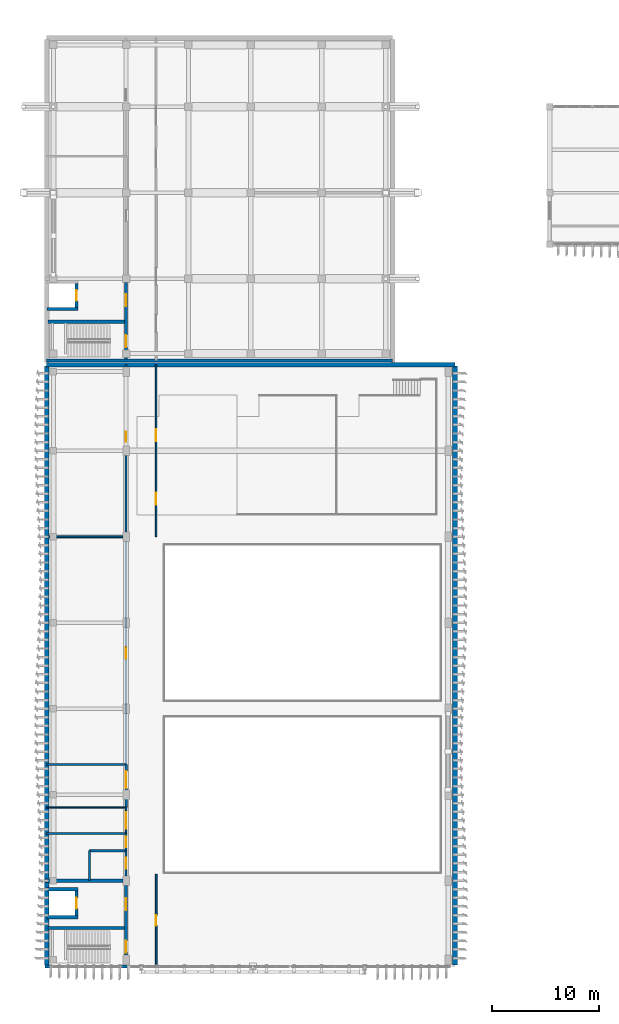
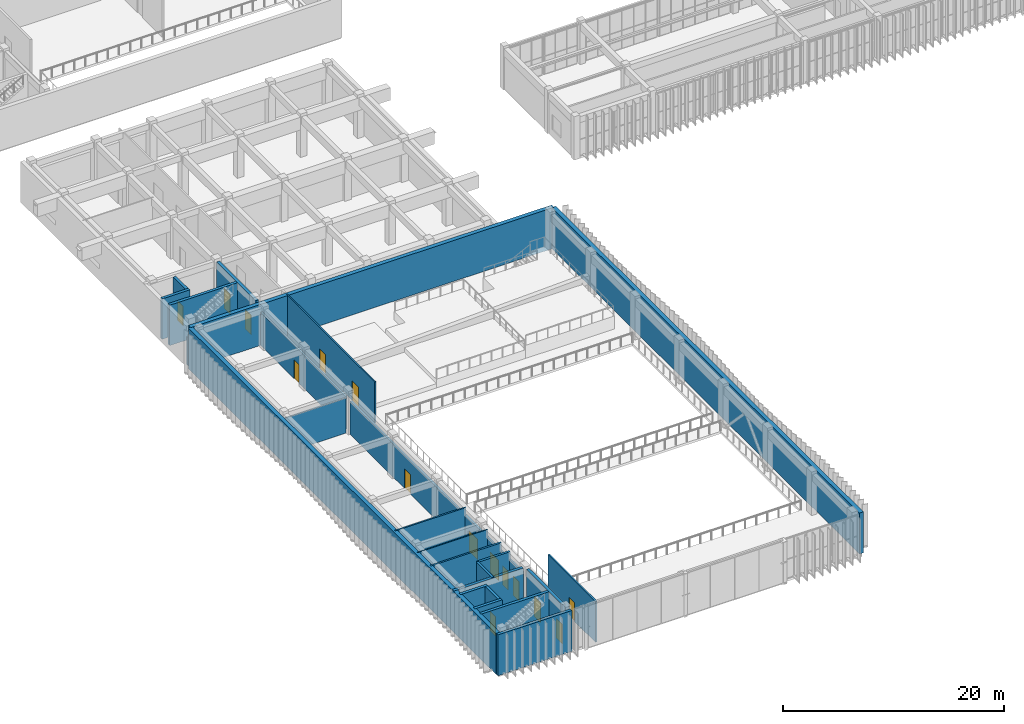
# One storey, part 39 of 64: 29 walls, 15 doors, 15 openings.
"""IFC4 building model written with IfcOpenShell, lengths in metres."""

from ifc_helpers import new_model, si_unit, direction, frame, frame_2d, origin, place, context, subcontext, project, spatial, rectangle, extrude, material, layer, layer_set, type_object, element, fill, save


model = new_model("IFC4")

# Units and contexts
model_context = context("Model", 3, precision=1e-05, world=origin(), true_north=direction((0.0, 1.0)))
body_context = subcontext(model_context, "Body", "Model", "MODEL_VIEW")
ifc_project = project(units=[si_unit("LENGTHUNIT", "METRE"), si_unit("AREAUNIT", "SQUARE_METRE"), si_unit("VOLUMEUNIT", "CUBIC_METRE"), si_unit("PLANEANGLEUNIT", "RADIAN"), si_unit("MASSUNIT", "GRAM", prefix="KILO")], contexts=[model_context])

# Site, building, storey
site_placement = place(None, origin())
site = spatial("IfcSite", under=ifc_project, at=site_placement, CompositionType="ELEMENT")
building_placement = place(site_placement, origin())
building = spatial("IfcBuilding", under=site, at=building_placement, Name="Cinchona Park Media Centre", CompositionType="ELEMENT")
storey_placement = place(building_placement, frame((0.0, 0.0, 5.39990234375)))
storey = spatial("IfcBuildingStorey", under=building, at=storey_placement, Name="L01", CompositionType="ELEMENT", Elevation=5.39990234375)

# Walls
ifc_material_1 = material(Name="Precast concrete C40/50", Category="concrete")
ifc_layer_1 = layer(ifc_material_1, 0.425048828125)
ifc_layer_set_1 = layer_set([ifc_layer_1], Name="Precast concrete C40/50")
wall_type_1 = type_object("IfcWallType", Name="WALL-W-AC01", PredefinedType="SOLIDWALL", material=ifc_layer_set_1)
wall_1_placement = place(storey_placement, frame((8.0, 63.60009765625, 0.0), z_axis=(0.0, 0.0, 1.0), x_axis=(1.0, 0.0, 0.0)))
element("IfcWall", 1, at=wall_1_placement, inside=storey, type_object=wall_type_1, Name="Exterior Wall W-AC01 V1 L01", PredefinedType="SOLIDWALL", context=body_context, shape_type="SweptSolid", body=[
    extrude(rectangle(XDim=38.0, YDim=0.425048828125, at=frame_2d((19.0, 0.0))), origin(), (0.0, 0.0, 1.0), 4.52001953125),
])
for number, where, z_axis, x_axis, name in (
    (2, (46.0, 63.4599609375, 0.0), (0.0, 0.0, 1.0), (0.0, -1.0, 0.0), "Exterior Wall W-AC01 V1 L01"),
    (3, (8.0, 7.739990234375, 0.0), (0.0, 0.0, 1.0), (0.0, 1.0, 0.0), "Exterior Wall W-AC01 V1 L01"),
):
    element("IfcWall", number, at=place(storey_placement, frame(where, z_axis=z_axis, x_axis=x_axis)), inside=storey, type_object=wall_type_1, Name=name, PredefinedType="SOLIDWALL", context=body_context, shape_type="SweptSolid", body=[
        extrude(rectangle(XDim=55.719970703125, YDim=0.425048828125, at=frame_2d((27.85986328125, 0.0))), origin(), (0.0, 0.0, 1.0), 4.52001953125),
    ])

# Wall, opening, door
ifc_material_2 = material(Name="Acoustic Double-Stud Gypsum Partition", Category="gypsum")
ifc_layer_2 = layer(ifc_material_2, 0.2099609375)
ifc_layer_set_2 = layer_set([ifc_layer_2], Name="Acoustic Double-Stud Gypsum Partition")
wall_type_2 = type_object("IfcWallType", Name="WALL-W-AC210", PredefinedType="PARTITIONING", material=ifc_layer_set_2)
wall_2_placement = place(storey_placement, frame((15.39990234375, 26.39990234375, 0.0), z_axis=(0.0, 0.0, 1.0), x_axis=(0.0, 1.0, 0.0)))
wall_2 = element("IfcWall", 4, at=wall_2_placement, inside=storey, type_object=wall_type_2, Name="Interior Wall W-AC210 L01", PredefinedType="PARTITIONING", context=body_context, shape_type="SweptSolid", body=[
    extrude(rectangle(XDim=20.748046875, YDim=0.2099609375, at=frame_2d((10.3740234375, 0.0))), origin(), (0.0, 0.0, 1.0), 3.670166015625),
])
opening_1_placement = place(wall_2_placement, frame((9.833984375, 0.0, 0.0)))
opening_1 = element("IfcOpeningElement", 5, at=opening_1_placement, cuts=wall_2, Name="Opening D228", PredefinedType="OPENING", context=body_context, shape_type="SweptSolid", body=[
    extrude(rectangle(XDim=1.080078125, YDim=2.14990234375, at=frame_2d((0.5400390625, 1.074951171875))), frame((0.0, 0.114990234375, 0.0), z_axis=(0.0, -1.0, 0.0), x_axis=(1.0, 0.0, 0.0)), (0.0, 0.0, 1.0), 0.22998046875),
])
ifc_material_3 = material(Name="Fire-Rated Acoustic Timber-Steel Door", Category="steel")
door_type_1 = type_object("IfcDoorType", Name="DOOR-DT07", OperationType="NOTDEFINED", PredefinedType="DOOR", material=ifc_material_3)
door_1_placement = place(opening_1_placement, origin())
door_1 = element("IfcDoor", 6, at=door_1_placement, inside=storey, type_object=door_type_1, Name="Interior Door D228", OperationType="SINGLE_SWING_RIGHT", OverallHeight=2.14990234375, OverallWidth=1.080078125, PredefinedType="DOOR", context=body_context, shape_type="SweptSolid", body=[
    extrude(rectangle(XDim=1.080078125, YDim=2.14990234375, at=frame_2d((0.5400390625, 1.074951171875))), frame((0.0, 0.02490234375, 0.0), z_axis=(0.0, -1.0, 0.0), x_axis=(1.0, 0.0, 0.0)), (0.0, 0.0, 1.0), 0.050048828125),
])
fill(opening_1, door_1)

# Wall
wall_3_placement = place(storey_placement, frame((12.0, 15.60009765625, 0.0), z_axis=(0.0, 0.0, 1.0), x_axis=(0.0, 1.0, 0.0)))
element("IfcWall", 7, at=wall_3_placement, inside=storey, type_object=wall_type_2, Name="Interior Wall W-AC210 L01", PredefinedType="PARTITIONING", context=body_context, shape_type="SweptSolid", body=[
    extrude(rectangle(XDim=2.7998046875, YDim=0.2099609375, at=frame_2d((1.39990234375, 0.0))), origin(), (0.0, 0.0, 1.0), 4.52001953125),
])

# Wall, opening, door
ifc_material_4 = material(Name="Acoustic Double-Stud Gypsum Partition", Category="gypsum")
ifc_layer_3 = layer(ifc_material_4, 0.239990234375)
ifc_layer_set_3 = layer_set([ifc_layer_3], Name="Acoustic Double-Stud Gypsum Partition")
wall_type_3 = type_object("IfcWallType", Name="WALL-W-AC240", PredefinedType="PARTITIONING", material=ifc_layer_set_3)
wall_4_placement = place(storey_placement, frame((15.39990234375, 22.39990234375, 0.0), z_axis=(0.0, 0.0, 1.0), x_axis=(0.0, 1.0, 0.0)))
wall_4 = element("IfcWall", 8, at=wall_4_placement, inside=storey, type_object=wall_type_3, Name="Interior Wall W-AC240 L01", PredefinedType="PARTITIONING", context=body_context, shape_type="SweptSolid", body=[
    extrude(rectangle(XDim=4.0, YDim=0.239990234375, at=frame_2d((2.0, 0.0))), origin(), (0.0, 0.0, 1.0), 3.670166015625),
])
opening_2_placement = place(wall_4_placement, frame((1.780029296875, 0.0, 0.0)))
opening_2 = element("IfcOpeningElement", 9, at=opening_2_placement, cuts=wall_4, Name="Opening D227", PredefinedType="OPENING", context=body_context, shape_type="SweptSolid", body=[
    extrude(rectangle(XDim=1.60009765625, YDim=2.300048828125, at=frame_2d((0.800048828125, 1.14990234375))), frame((0.0, 0.1298828125, 0.0), z_axis=(0.0, -1.0, 0.0), x_axis=(1.0, 0.0, 0.0)), (0.0, 0.0, 1.0), 0.260009765625),
])
ifc_material_5 = material(Name="Solid-Core Timber Acoustic Door", Category="wood")
door_type_2 = type_object("IfcDoorType", Name="DOOR-DT17", OperationType="NOTDEFINED", PredefinedType="DOOR", material=ifc_material_5)
door_2_placement = place(opening_2_placement, origin())
door_2 = element("IfcDoor", 10, at=door_2_placement, inside=storey, type_object=door_type_2, Name="Interior Door D227", OperationType="SINGLE_SWING_LEFT", OverallHeight=2.300048828125, OverallWidth=1.60009765625, PredefinedType="DOOR", context=body_context, shape_type="SweptSolid", body=[
    extrude(rectangle(XDim=1.60009765625, YDim=2.300048828125, at=frame_2d((0.800048828125, 1.14990234375))), frame((0.0, 0.02490234375, 0.0), z_axis=(0.0, -1.0, 0.0), x_axis=(1.0, 0.0, 0.0)), (0.0, 0.0, 1.0), 0.050048828125),
])
fill(opening_2, door_2)

# Wall
wall_5_placement = place(storey_placement, frame((12.0, 18.39990234375, 0.0), z_axis=(0.0, 0.0, 1.0), x_axis=(1.0, 0.0, 0.0)))
element("IfcWall", 11, at=wall_5_placement, inside=storey, type_object=wall_type_3, Name="Interior Wall W-AC240 L01", PredefinedType="PARTITIONING", context=body_context, shape_type="SweptSolid", body=[
    extrude(rectangle(XDim=3.39990234375, YDim=0.239990234375, at=frame_2d((1.699951171875, 0.0))), origin(), (0.0, 0.0, 1.0), 4.52001953125),
])

# Wall, openings, doors
ifc_material_6 = material(Name="Concrete C40/50", Category="concrete")
ifc_layer_4 = layer(ifc_material_6, 0.300048828125)
ifc_layer_set_4 = layer_set([ifc_layer_4], Name="Concrete C40/50")
wall_type_4 = type_object("IfcWallType", Name="WALL-W-CR300", PredefinedType="SHEAR", material=ifc_layer_set_4)
wall_6_placement = place(storey_placement, frame((15.39990234375, 64.14990234375, 0.0), z_axis=(0.0, 0.0, 1.0), x_axis=(0.0, 1.0, 0.0)))
wall_6 = element("IfcWall", 12, at=wall_6_placement, inside=storey, type_object=wall_type_4, Name="Core Shear Wall W-CR300 L01", PredefinedType="SHEAR", context=body_context, shape_type="SweptSolid", body=[
    extrude(rectangle(XDim=7.09814453125, YDim=0.300048828125, at=frame_2d((3.549072265625, 0.0))), origin(), (0.0, 0.0, 1.0), 4.47509765625),
])
opening_3_placement = place(wall_6_placement, frame((1.10009765625, 0.0, 0.0)))
opening_3 = element("IfcOpeningElement", 13, at=opening_3_placement, cuts=wall_6, Name="Opening D064", PredefinedType="OPENING", context=body_context, shape_type="SweptSolid", body=[
    extrude(rectangle(XDim=1.10009765625, YDim=2.14990234375, at=frame_2d((0.550048828125, 1.074951171875))), frame((0.0, 0.159912109375, 0.0), z_axis=(0.0, -1.0, 0.0), x_axis=(1.0, 0.0, 0.0)), (0.0, 0.0, 1.0), 0.320068359375),
])
opening_4_placement = place(wall_6_placement, frame((4.875, 0.0, 0.0)))
opening_4 = element("IfcOpeningElement", 14, at=opening_4_placement, cuts=wall_6, Name="Opening D065", PredefinedType="OPENING", context=body_context, shape_type="SweptSolid", body=[
    extrude(rectangle(XDim=1.14990234375, YDim=2.199951171875, at=frame_2d((0.574951171875, 1.10009765625))), frame((0.0, 0.159912109375, 0.0), z_axis=(0.0, -1.0, 0.0), x_axis=(1.0, 0.0, 0.0)), (0.0, 0.0, 1.0), 0.320068359375),
])
ifc_material_7 = material(Name="Insulated Fire-Rated Steel Door", Category="steel")
door_type_3 = type_object("IfcDoorType", Name="DOOR-DT-FF", OperationType="NOTDEFINED", PredefinedType="DOOR", material=ifc_material_7)
door_3_placement = place(opening_4_placement, origin())
door_3 = element("IfcDoor", 15, at=door_3_placement, inside=storey, type_object=door_type_3, Name="Interior Door D065", OperationType="SINGLE_SWING_LEFT", OverallHeight=2.199951171875, OverallWidth=1.14990234375, PredefinedType="DOOR", context=body_context, shape_type="SweptSolid", body=[
    extrude(rectangle(XDim=1.14990234375, YDim=2.199951171875, at=frame_2d((0.574951171875, 1.10009765625))), frame((0.0, 0.02490234375, 0.0), z_axis=(0.0, -1.0, 0.0), x_axis=(1.0, 0.0, 0.0)), (0.0, 0.0, 1.0), 0.050048828125),
])
fill(opening_4, door_3)
ifc_material_8 = material(Name="Insulated Fire-Rated Steel Door", Category="steel")
door_type_4 = type_object("IfcDoorType", Name="DOOR-DT-ST", OperationType="NOTDEFINED", PredefinedType="DOOR", material=ifc_material_8)
door_4_placement = place(opening_3_placement, origin())
door_4 = element("IfcDoor", 16, at=door_4_placement, inside=storey, type_object=door_type_4, Name="Interior Door D064", OperationType="SINGLE_SWING_RIGHT", OverallHeight=2.14990234375, OverallWidth=1.10009765625, PredefinedType="DOOR", context=body_context, shape_type="SweptSolid", body=[
    extrude(rectangle(XDim=1.10009765625, YDim=2.14990234375, at=frame_2d((0.550048828125, 1.074951171875))), frame((0.0, 0.02490234375, 0.0), z_axis=(0.0, -1.0, 0.0), x_axis=(1.0, 0.0, 0.0)), (0.0, 0.0, 1.0), 0.050048828125),
])
fill(opening_3, door_4)

# Walls
wall_7_placement = place(storey_placement, frame((8.14990234375, 67.60009765625, 0.0), z_axis=(0.0, 0.0, 1.0), x_axis=(1.0, 0.0, 0.0)))
element("IfcWall", 17, at=wall_7_placement, inside=storey, type_object=wall_type_4, Name="Core Shear Wall W-CR300 L01", PredefinedType="SHEAR", context=body_context, shape_type="SweptSolid", body=[
    extrude(rectangle(XDim=7.10009765625, YDim=0.300048828125, at=frame_2d((3.550048828125, 0.0))), origin(), (0.0, 0.0, 1.0), 4.47509765625),
])
wall_8_placement = place(storey_placement, frame((7.85009765625, 7.60009765625, 0.0), z_axis=(0.0, 0.0, 1.0), x_axis=(1.0, 0.0, 0.0)))
element("IfcWall", 18, at=wall_8_placement, inside=storey, type_object=wall_type_4, Name="Core Shear Wall W-CR300 L01", PredefinedType="SHEAR", context=body_context, shape_type="SweptSolid", body=[
    extrude(rectangle(XDim=7.699951171875, YDim=0.300048828125, at=frame_2d((3.85009765625, 0.0))), origin(), (0.0, 0.0, 1.0), 4.52001953125),
])
wall_9_placement = place(storey_placement, frame((7.85009765625, 15.60009765625, 0.0), z_axis=(0.0, 0.0, 1.0), x_axis=(1.0, 0.0, 0.0)))
element("IfcWall", 19, at=wall_9_placement, inside=storey, type_object=wall_type_4, Name="Core Shear Wall W-CR300 L01", PredefinedType="SHEAR", context=body_context, shape_type="SweptSolid", body=[
    extrude(rectangle(XDim=7.247802734375, YDim=0.300048828125, at=frame_2d((3.6240234375, 0.0))), origin(), (0.0, 0.0, 1.0), 4.52001953125),
])

# Wall, openings, doors
wall_10_placement = place(storey_placement, frame((15.39990234375, 8.69189453125, 0.0), z_axis=(0.0, 0.0, 1.0), x_axis=(0.0, 1.0, 0.0)))
wall_10 = element("IfcWall", 20, at=wall_10_placement, inside=storey, type_object=wall_type_4, Name="Core Shear Wall W-CR300 L01", PredefinedType="SHEAR", context=body_context, shape_type="SweptSolid", body=[
    extrude(rectangle(XDim=6.4560546875, YDim=0.300048828125, at=frame_2d((3.22802734375, 0.0))), origin(), (0.0, 0.0, 1.0), 4.52001953125),
])
opening_5_placement = place(wall_10_placement, frame((0.219970703125, 0.0, 0.0)))
opening_5 = element("IfcOpeningElement", 21, at=opening_5_placement, cuts=wall_10, Name="Opening D070", PredefinedType="OPENING", context=body_context, shape_type="SweptSolid", body=[
    extrude(rectangle(XDim=1.10009765625, YDim=2.14990234375, at=frame_2d((0.550048828125, 1.074951171875))), frame((0.0, 0.159912109375, 0.0), z_axis=(0.0, -1.0, 0.0), x_axis=(1.0, 0.0, 0.0)), (0.0, 0.0, 1.0), 0.320068359375),
])
opening_6_placement = place(wall_10_placement, frame((4.133056640625, 0.0, 0.0)))
opening_6 = element("IfcOpeningElement", 22, at=opening_6_placement, cuts=wall_10, Name="Opening D071", PredefinedType="OPENING", context=body_context, shape_type="SweptSolid", body=[
    extrude(rectangle(XDim=1.14990234375, YDim=2.199951171875, at=frame_2d((0.574951171875, 1.10009765625))), frame((0.0, 0.159912109375, 0.0), z_axis=(0.0, -1.0, 0.0), x_axis=(1.0, 0.0, 0.0)), (0.0, 0.0, 1.0), 0.320068359375),
])
door_5_placement = place(opening_6_placement, origin())
door_5 = element("IfcDoor", 23, at=door_5_placement, inside=storey, type_object=door_type_3, Name="Interior Door D071", OperationType="SINGLE_SWING_LEFT", OverallHeight=2.199951171875, OverallWidth=1.14990234375, PredefinedType="DOOR", context=body_context, shape_type="SweptSolid", body=[
    extrude(rectangle(XDim=1.14990234375, YDim=2.199951171875, at=frame_2d((0.574951171875, 1.10009765625))), frame((0.0, 0.02490234375, 0.0), z_axis=(0.0, -1.0, 0.0), x_axis=(1.0, 0.0, 0.0)), (0.0, 0.0, 1.0), 0.050048828125),
])
fill(opening_6, door_5)
door_6_placement = place(opening_5_placement, origin())
door_6 = element("IfcDoor", 24, at=door_6_placement, inside=storey, type_object=door_type_4, Name="Interior Door D070", OperationType="SINGLE_SWING_RIGHT", OverallHeight=2.14990234375, OverallWidth=1.10009765625, PredefinedType="DOOR", context=body_context, shape_type="SweptSolid", body=[
    extrude(rectangle(XDim=1.10009765625, YDim=2.14990234375, at=frame_2d((0.550048828125, 1.074951171875))), frame((0.0, 0.02490234375, 0.0), z_axis=(0.0, -1.0, 0.0), x_axis=(1.0, 0.0, 0.0)), (0.0, 0.0, 1.0), 0.050048828125),
])
fill(opening_5, door_6)

# Walls
wall_11_placement = place(storey_placement, frame((8.14990234375, 11.199951171875, 0.0), z_axis=(0.0, 0.0, 1.0), x_axis=(1.0, 0.0, 0.0)))
element("IfcWall", 25, at=wall_11_placement, inside=storey, type_object=wall_type_4, Name="Core Shear Wall W-CR300 L01", PredefinedType="SHEAR", context=body_context, shape_type="SweptSolid", body=[
    extrude(rectangle(XDim=7.10009765625, YDim=0.300048828125, at=frame_2d((3.550048828125, 0.0))), origin(), (0.0, 0.0, 1.0), 4.52001953125),
])
ifc_material_9 = material(Name="Precast concrete C40/50", Category="concrete")
ifc_layer_5 = layer(ifc_material_9, 0.27490234375)
ifc_layer_set_5 = layer_set([ifc_layer_5], Name="Precast concrete C40/50")
wall_type_5 = type_object("IfcWallType", Name="WALL-W-EX03", PredefinedType="SOLIDWALL", material=ifc_layer_set_5)
wall_12_placement = place(storey_placement, frame((40.199951171875, 64.0, 0.0), z_axis=(0.0, 0.0, 1.0), x_axis=(-1.0, 0.0, 0.0)))
element("IfcWall", 26, at=wall_12_placement, inside=storey, type_object=wall_type_5, Name="Exterior Wall W-EX03 V4 L01", PredefinedType="SOLIDWALL", context=body_context, shape_type="SweptSolid", body=[
    extrude(rectangle(XDim=32.199951171875, YDim=0.27490234375, at=frame_2d((16.10009765625, 0.0))), origin(), (0.0, 0.0, 1.0), 3.0751953125),
])
ifc_material_10 = material(Name="Gypsum Metal-Stud Partition", Category="gypsum")
ifc_layer_6 = layer(ifc_material_10, 0.114990234375)
ifc_layer_set_6 = layer_set([ifc_layer_6], Name="Gypsum Metal-Stud Partition")
wall_type_6 = type_object("IfcWallType", Name="WALL-W-PT115", PredefinedType="PARTITIONING", material=ifc_layer_set_6)
wall_13_placement = place(storey_placement, frame((8.0, 22.39990234375, 0.0), z_axis=(0.0, 0.0, 1.0), x_axis=(1.0, 0.0, 0.0)))
element("IfcWall", 27, at=wall_13_placement, inside=storey, type_object=wall_type_6, Name="Interior Wall W-PT115 L01", PredefinedType="PARTITIONING", context=body_context, shape_type="SweptSolid", body=[
    extrude(rectangle(XDim=7.39990234375, YDim=0.114990234375, at=frame_2d((3.699951171875, 0.0))), origin(), (0.0, 0.0, 1.0), 4.52001953125),
])

# Wall, opening, door
ifc_material_11 = material(Name="Fire-Rated Gypsum Stud Partition", Category="gypsum")
ifc_layer_7 = layer(ifc_material_11, 0.14990234375)
ifc_layer_set_7 = layer_set([ifc_layer_7], Name="Fire-Rated Gypsum Stud Partition")
wall_type_7 = type_object("IfcWallType", Name="WALL-W-PT150", PredefinedType="PARTITIONING", material=ifc_layer_set_7)
wall_14_placement = place(storey_placement, frame((15.39990234375, 20.0, 0.0), z_axis=(0.0, 0.0, 1.0), x_axis=(0.0, 1.0, 0.0)))
wall_14 = element("IfcWall", 28, at=wall_14_placement, inside=storey, type_object=wall_type_7, Name="Interior Wall W-PT150 L01", PredefinedType="PARTITIONING", context=body_context, shape_type="SweptSolid", body=[
    extrude(rectangle(XDim=2.39990234375, YDim=0.14990234375, at=frame_2d((1.199951171875, 0.0))), origin(), (0.0, 0.0, 1.0), 3.670166015625),
])
opening_7_placement = place(wall_14_placement, frame((0.425048828125, 0.0, 0.0)))
opening_7 = element("IfcOpeningElement", 29, at=opening_7_placement, cuts=wall_14, Name="Opening D226", PredefinedType="OPENING", context=body_context, shape_type="SweptSolid", body=[
    extrude(rectangle(XDim=1.550048828125, YDim=2.25, at=frame_2d((0.77490234375, 1.125))), frame((0.0, 0.0849609375, 0.0), z_axis=(0.0, -1.0, 0.0), x_axis=(1.0, 0.0, 0.0)), (0.0, 0.0, 1.0), 0.169921875),
])
ifc_material_12 = material(Name="Solid-Core Timber Acoustic Door", Category="wood")
door_type_5 = type_object("IfcDoorType", Name="DOOR-DT16", OperationType="NOTDEFINED", PredefinedType="DOOR", material=ifc_material_12)
door_7_placement = place(opening_7_placement, origin())
door_7 = element("IfcDoor", 30, at=door_7_placement, inside=storey, type_object=door_type_5, Name="Interior Door D226", OperationType="SINGLE_SWING_RIGHT", OverallHeight=2.25, OverallWidth=1.550048828125, PredefinedType="DOOR", context=body_context, shape_type="SweptSolid", body=[
    extrude(rectangle(XDim=1.550048828125, YDim=2.25, at=frame_2d((0.77490234375, 1.125))), frame((0.0, 0.02490234375, 0.0), z_axis=(0.0, -1.0, 0.0), x_axis=(1.0, 0.0, 0.0)), (0.0, 0.0, 1.0), 0.050048828125),
])
fill(opening_7, door_7)

# Wall, openings, doors
wall_15_placement = place(storey_placement, frame((18.199951171875, 63.60009765625, 0.0), z_axis=(0.0, 0.0, 1.0), x_axis=(0.0, -1.0, 0.0)))
wall_15 = element("IfcWall", 31, at=wall_15_placement, inside=storey, type_object=wall_type_7, Name="Interior Wall W-PT150 L01", PredefinedType="PARTITIONING", context=body_context, shape_type="SweptSolid", body=[
    extrude(rectangle(XDim=16.0, YDim=0.14990234375, at=frame_2d((8.0, 0.0))), origin(), (0.0, 0.0, 1.0), 4.52001953125),
])
opening_8_placement = place(wall_15_placement, frame((5.97998046875, 0.0, 0.0)))
opening_8 = element("IfcOpeningElement", 32, at=opening_8_placement, cuts=wall_15, Name="Opening D231", PredefinedType="OPENING", context=body_context, shape_type="SweptSolid", body=[
    extrude(rectangle(XDim=1.1201171875, YDim=2.14990234375, at=frame_2d((0.56005859375, 1.074951171875))), frame((0.0, 0.0849609375, 0.0), z_axis=(0.0, -1.0, 0.0), x_axis=(1.0, 0.0, 0.0)), (0.0, 0.0, 1.0), 0.169921875),
])
opening_9_placement = place(wall_15_placement, frame((11.919921875, 0.0, 0.0)))
opening_9 = element("IfcOpeningElement", 33, at=opening_9_placement, cuts=wall_15, Name="Opening D232", PredefinedType="OPENING", context=body_context, shape_type="SweptSolid", body=[
    extrude(rectangle(XDim=1.1201171875, YDim=2.14990234375, at=frame_2d((0.56005859375, 1.074951171875))), frame((0.0, 0.0849609375, 0.0), z_axis=(0.0, -1.0, 0.0), x_axis=(1.0, 0.0, 0.0)), (0.0, 0.0, 1.0), 0.169921875),
])
ifc_material_13 = material(Name="Fire-Rated Acoustic Timber-Steel Door", Category="steel")
door_type_6 = type_object("IfcDoorType", Name="DOOR-DT08", OperationType="NOTDEFINED", PredefinedType="DOOR", material=ifc_material_13)
door_8_placement = place(opening_8_placement, origin())
door_8 = element("IfcDoor", 34, at=door_8_placement, inside=storey, type_object=door_type_6, Name="Interior Door D231", OperationType="SINGLE_SWING_LEFT", OverallHeight=2.14990234375, OverallWidth=1.1201171875, PredefinedType="DOOR", context=body_context, shape_type="SweptSolid", body=[
    extrude(rectangle(XDim=1.1201171875, YDim=2.14990234375, at=frame_2d((0.56005859375, 1.074951171875))), frame((0.0, 0.02490234375, 0.0), z_axis=(0.0, -1.0, 0.0), x_axis=(1.0, 0.0, 0.0)), (0.0, 0.0, 1.0), 0.050048828125),
])
fill(opening_8, door_8)
door_9_placement = place(opening_9_placement, origin())
door_9 = element("IfcDoor", 35, at=door_9_placement, inside=storey, type_object=door_type_6, Name="Interior Door D232", OperationType="SINGLE_SWING_RIGHT", OverallHeight=2.14990234375, OverallWidth=1.1201171875, PredefinedType="DOOR", context=body_context, shape_type="SweptSolid", body=[
    extrude(rectangle(XDim=1.1201171875, YDim=2.14990234375, at=frame_2d((0.56005859375, 1.074951171875))), frame((0.0, 0.02490234375, 0.0), z_axis=(0.0, -1.0, 0.0), x_axis=(1.0, 0.0, 0.0)), (0.0, 0.0, 1.0), 0.050048828125),
])
fill(opening_9, door_9)

# Wall
wall_16_placement = place(storey_placement, frame((8.0, 47.60009765625, 0.0), z_axis=(0.0, 0.0, 1.0), x_axis=(1.0, 0.0, 0.0)))
element("IfcWall", 36, at=wall_16_placement, inside=storey, type_object=wall_type_7, Name="Interior Wall W-PT150 L01", PredefinedType="PARTITIONING", context=body_context, shape_type="SweptSolid", body=[
    extrude(rectangle(XDim=7.097900390625, YDim=0.14990234375, at=frame_2d((3.548828125, 0.0))), origin(), (0.0, 0.0, 1.0), 3.8701171875),
])

# Wall, opening, door
ifc_material_14 = material(Name="Fire-Rated Gypsum Stud Partition", Category="gypsum")
ifc_layer_8 = layer(ifc_material_14, 0.1650390625)
ifc_layer_set_8 = layer_set([ifc_layer_8], Name="Fire-Rated Gypsum Stud Partition")
wall_type_8 = type_object("IfcWallType", Name="WALL-W-PT165", PredefinedType="PARTITIONING", material=ifc_layer_set_8)
wall_17_placement = place(storey_placement, frame((15.39990234375, 18.39990234375, 0.0), z_axis=(0.0, 0.0, 1.0), x_axis=(0.0, 1.0, 0.0)))
wall_17 = element("IfcWall", 37, at=wall_17_placement, inside=storey, type_object=wall_type_8, Name="Interior Wall W-PT165 L01", PredefinedType="PARTITIONING", context=body_context, shape_type="SweptSolid", body=[
    extrude(rectangle(XDim=1.60009765625, YDim=0.1650390625, at=frame_2d((0.800048828125, 0.0))), origin(), (0.0, 0.0, 1.0), 3.670166015625),
])
opening_10_placement = place(wall_17_placement, frame((0.300048828125, 0.0, 0.0)))
opening_10 = element("IfcOpeningElement", 38, at=opening_10_placement, cuts=wall_17, Name="Opening D225", PredefinedType="OPENING", context=body_context, shape_type="SweptSolid", body=[
    extrude(rectangle(XDim=1.0, YDim=2.10009765625, at=frame_2d((0.5, 1.050048828125))), frame((0.0, 0.092529296875, 0.0), z_axis=(0.0, -1.0, 0.0), x_axis=(1.0, 0.0, 0.0)), (0.0, 0.0, 1.0), 0.18505859375),
])
ifc_material_15 = material(Name="Fire-Rated Acoustic Timber-Steel Door", Category="steel")
door_type_7 = type_object("IfcDoorType", Name="DOOR-DT04", OperationType="NOTDEFINED", PredefinedType="DOOR", material=ifc_material_15)
door_10_placement = place(opening_10_placement, origin())
door_10 = element("IfcDoor", 39, at=door_10_placement, inside=storey, type_object=door_type_7, Name="Interior Door D225", OperationType="SINGLE_SWING_LEFT", OverallHeight=2.10009765625, OverallWidth=1.0, PredefinedType="DOOR", context=body_context, shape_type="SweptSolid", body=[
    extrude(rectangle(XDim=1.0, YDim=2.10009765625, at=frame_2d((0.5, 1.050048828125))), frame((0.0, 0.02490234375, 0.0), z_axis=(0.0, -1.0, 0.0), x_axis=(1.0, 0.0, 0.0)), (0.0, 0.0, 1.0), 0.050048828125),
])
fill(opening_10, door_10)

wall_18_placement = place(storey_placement, frame((18.199951171875, 16.199951171875, 0.0), z_axis=(0.0, 0.0, 1.0), x_axis=(0.0, -1.0, 0.0)))
wall_18 = element("IfcWall", 40, at=wall_18_placement, inside=storey, type_object=wall_type_8, Name="Interior Wall W-PT165 L01", PredefinedType="PARTITIONING", context=body_context, shape_type="SweptSolid", body=[
    extrude(rectangle(XDim=8.599853515625, YDim=0.1650390625, at=frame_2d((4.2998046875, 0.0))), origin(), (0.0, 0.0, 1.0), 4.52001953125),
])
opening_11_placement = place(wall_18_placement, frame((3.824951171875, 0.0, 0.0)))
opening_11 = element("IfcOpeningElement", 41, at=opening_11_placement, cuts=wall_18, Name="Opening D230", PredefinedType="OPENING", context=body_context, shape_type="SweptSolid", body=[
    extrude(rectangle(XDim=0.949951171875, YDim=2.10009765625, at=frame_2d((0.47509765625, 1.050048828125))), frame((0.0, 0.092529296875, 0.0), z_axis=(0.0, -1.0, 0.0), x_axis=(1.0, 0.0, 0.0)), (0.0, 0.0, 1.0), 0.18505859375),
])
ifc_material_16 = material(Name="Solid-Core Timber Acoustic Door", Category="wood")
door_type_8 = type_object("IfcDoorType", Name="DOOR-DT02", OperationType="NOTDEFINED", PredefinedType="DOOR", material=ifc_material_16)
door_11_placement = place(opening_11_placement, origin())
door_11 = element("IfcDoor", 42, at=door_11_placement, inside=storey, type_object=door_type_8, Name="Interior Door D230", OperationType="SINGLE_SWING_RIGHT", OverallHeight=2.10009765625, OverallWidth=0.949951171875, PredefinedType="DOOR", context=body_context, shape_type="SweptSolid", body=[
    extrude(rectangle(XDim=0.949951171875, YDim=2.10009765625, at=frame_2d((0.47509765625, 1.050048828125))), frame((0.0, 0.02490234375, 0.0), z_axis=(0.0, -1.0, 0.0), x_axis=(1.0, 0.0, 0.0)), (0.0, 0.0, 1.0), 0.050048828125),
])
fill(opening_11, door_11)

# Wall
wall_19_placement = place(storey_placement, frame((8.0, 26.39990234375, 0.0), z_axis=(0.0, 0.0, 1.0), x_axis=(1.0, 0.0, 0.0)))
element("IfcWall", 43, at=wall_19_placement, inside=storey, type_object=wall_type_8, Name="Interior Wall W-PT165 L01", PredefinedType="PARTITIONING", context=body_context, shape_type="SweptSolid", body=[
    extrude(rectangle(XDim=7.39990234375, YDim=0.1650390625, at=frame_2d((3.699951171875, 0.0))), origin(), (0.0, 0.0, 1.0), 4.52001953125),
])

# Wall, opening, door
ifc_material_17 = material(Name="Fire-Rated Gypsum Stud Partition", Category="gypsum")
ifc_layer_9 = layer(ifc_material_17, 0.18994140625)
ifc_layer_set_9 = layer_set([ifc_layer_9], Name="Fire-Rated Gypsum Stud Partition")
wall_type_9 = type_object("IfcWallType", Name="WALL-W-PT190", PredefinedType="PARTITIONING", material=ifc_layer_set_9)
wall_20_placement = place(storey_placement, frame((15.39990234375, 16.052001953125, 0.0), z_axis=(0.0, 0.0, 1.0), x_axis=(0.0, 1.0, 0.0)))
wall_20 = element("IfcWall", 44, at=wall_20_placement, inside=storey, type_object=wall_type_9, Name="Interior Wall W-PT190 L01", PredefinedType="PARTITIONING", context=body_context, shape_type="SweptSolid", body=[
    extrude(rectangle(XDim=2.347900390625, YDim=0.18994140625, at=frame_2d((1.173828125, 0.0))), origin(), (0.0, 0.0, 1.0), 3.670166015625),
])
opening_12_placement = place(wall_20_placement, frame((0.64892578125, 0.0, 0.0)))
opening_12 = element("IfcOpeningElement", 45, at=opening_12_placement, cuts=wall_20, Name="Opening D224", PredefinedType="OPENING", context=body_context, shape_type="SweptSolid", body=[
    extrude(rectangle(XDim=1.050048828125, YDim=2.14990234375, at=frame_2d((0.52490234375, 1.074951171875))), frame((0.0, 0.10498046875, 0.0), z_axis=(0.0, -1.0, 0.0), x_axis=(1.0, 0.0, 0.0)), (0.0, 0.0, 1.0), 0.2099609375),
])
ifc_material_18 = material(Name="Solid-Core Timber Acoustic Door", Category="wood")
door_type_9 = type_object("IfcDoorType", Name="DOOR-DT06", OperationType="NOTDEFINED", PredefinedType="DOOR", material=ifc_material_18)
door_12_placement = place(opening_12_placement, origin())
door_12 = element("IfcDoor", 46, at=door_12_placement, inside=storey, type_object=door_type_9, Name="Interior Door D224", OperationType="SINGLE_SWING_RIGHT", OverallHeight=2.14990234375, OverallWidth=1.050048828125, PredefinedType="DOOR", context=body_context, shape_type="SweptSolid", body=[
    extrude(rectangle(XDim=1.050048828125, YDim=2.14990234375, at=frame_2d((0.52490234375, 1.074951171875))), frame((0.0, 0.02490234375, 0.0), z_axis=(0.0, -1.0, 0.0), x_axis=(1.0, 0.0, 0.0)), (0.0, 0.0, 1.0), 0.050048828125),
])
fill(opening_12, door_12)

wall_21_placement = place(storey_placement, frame((15.39990234375, 48.052001953125, 0.0), z_axis=(0.0, 0.0, 1.0), x_axis=(0.0, 1.0, 0.0)))
wall_21 = element("IfcWall", 47, at=wall_21_placement, inside=storey, type_object=wall_type_9, Name="Interior Wall W-PT190 L01", PredefinedType="PARTITIONING", context=body_context, shape_type="SweptSolid", body=[
    extrude(rectangle(XDim=15.548095703125, YDim=0.18994140625, at=frame_2d((7.77392578125, 0.0))), origin(), (0.0, 0.0, 1.0), 3.670166015625),
])
opening_13_placement = place(wall_21_placement, frame((8.3798828125, 0.0, 0.0)))
opening_13 = element("IfcOpeningElement", 48, at=opening_13_placement, cuts=wall_21, Name="Opening D229", PredefinedType="OPENING", context=body_context, shape_type="SweptSolid", body=[
    extrude(rectangle(XDim=0.919921875, YDim=2.10009765625, at=frame_2d((0.4599609375, 1.050048828125))), frame((0.0, 0.10498046875, 0.0), z_axis=(0.0, -1.0, 0.0), x_axis=(1.0, 0.0, 0.0)), (0.0, 0.0, 1.0), 0.2099609375),
])
ifc_material_19 = material(Name="Solid-Core Timber Acoustic Door", Category="wood")
door_type_10 = type_object("IfcDoorType", Name="DOOR-DT01", OperationType="NOTDEFINED", PredefinedType="DOOR", material=ifc_material_19)
door_13_placement = place(opening_13_placement, origin())
door_13 = element("IfcDoor", 49, at=door_13_placement, inside=storey, type_object=door_type_10, Name="Interior Door D229", OperationType="SINGLE_SWING_LEFT", OverallHeight=2.10009765625, OverallWidth=0.919921875, PredefinedType="DOOR", context=body_context, shape_type="SweptSolid", body=[
    extrude(rectangle(XDim=0.919921875, YDim=2.10009765625, at=frame_2d((0.4599609375, 1.050048828125))), frame((0.0, 0.02490234375, 0.0), z_axis=(0.0, -1.0, 0.0), x_axis=(1.0, 0.0, 0.0)), (0.0, 0.0, 1.0), 0.050048828125),
])
fill(opening_13, door_13)

# Walls
wall_22_placement = place(storey_placement, frame((8.0, 20.0, 0.0), z_axis=(0.0, 0.0, 1.0), x_axis=(1.0, 0.0, 0.0)))
element("IfcWall", 50, at=wall_22_placement, inside=storey, type_object=wall_type_9, Name="Interior Wall W-PT190 L01", PredefinedType="PARTITIONING", context=body_context, shape_type="SweptSolid", body=[
    extrude(rectangle(XDim=7.39990234375, YDim=0.18994140625, at=frame_2d((3.699951171875, 0.0))), origin(), (0.0, 0.0, 1.0), 4.52001953125),
])
ifc_material_20 = material(Name="Concrete C40/50", Category="concrete")
ifc_layer_10 = layer(ifc_material_20, 0.2900390625)
ifc_layer_set_10 = layer_set([ifc_layer_10], Name="Concrete C40/50")
wall_type_10 = type_object("IfcWallType", Name="WALL-W-SH290", PredefinedType="SHEAR", material=ifc_layer_set_10)
wall_23_placement = place(storey_placement, frame((8.054931640625, 68.800048828125, 0.0), z_axis=(0.0, 0.0, 1.0), x_axis=(1.0, 0.0, 0.0)))
element("IfcWall", 51, at=wall_23_placement, inside=storey, type_object=wall_type_10, Name="Core Shear Wall W-SH290 L01", PredefinedType="SHEAR", context=body_context, shape_type="SweptSolid", body=[
    extrude(rectangle(XDim=2.89013671875, YDim=0.2900390625, at=frame_2d((1.445068359375, 0.0))), origin(), (0.0, 0.0, 1.0), 4.47509765625),
])

# Wall, opening, door
wall_24_placement = place(storey_placement, frame((10.800048828125, 68.945068359375, 0.0), z_axis=(0.0, 0.0, 1.0), x_axis=(0.0, 1.0, 0.0)))
wall_24 = element("IfcWall", 52, at=wall_24_placement, inside=storey, type_object=wall_type_10, Name="Core Shear Wall W-SH290 L01", PredefinedType="SHEAR", context=body_context, shape_type="SweptSolid", body=[
    extrude(rectangle(XDim=2.2099609375, YDim=0.2900390625, at=frame_2d((1.10498046875, 0.0))), origin(), (0.0, 0.0, 1.0), 4.47509765625),
])
opening_14_placement = place(wall_24_placement, frame((0.60498046875, 0.0, 0.0)))
opening_14 = element("IfcOpeningElement", 53, at=opening_14_placement, cuts=wall_24, Name="Opening LD17", PredefinedType="OPENING", context=body_context, shape_type="SweptSolid", body=[
    extrude(rectangle(XDim=1.0, YDim=2.14990234375, at=frame_2d((0.5, 1.074951171875))), frame((0.0, 0.155029296875, 0.0), z_axis=(0.0, -1.0, 0.0), x_axis=(1.0, 0.0, 0.0)), (0.0, 0.0, 1.0), 0.31005859375),
])
ifc_material_21 = material(Name="Stainless Steel Sliding Lift Landing Door", Category="steel")
door_type_11 = type_object("IfcDoorType", Name="DOOR-DT-LD2", OperationType="NOTDEFINED", PredefinedType="DOOR", material=ifc_material_21)
door_14_placement = place(opening_14_placement, origin())
door_14 = element("IfcDoor", 54, at=door_14_placement, inside=storey, type_object=door_type_11, Name="Lift Landing Door LD17", OperationType="SLIDING_TO_LEFT", OverallHeight=2.14990234375, OverallWidth=1.0, PredefinedType="DOOR", context=body_context, shape_type="SweptSolid", body=[
    extrude(rectangle(XDim=1.0, YDim=2.14990234375, at=frame_2d((0.5, 1.074951171875))), frame((0.0, 0.02490234375, 0.0), z_axis=(0.0, -1.0, 0.0), x_axis=(1.0, 0.0, 0.0)), (0.0, 0.0, 1.0), 0.050048828125),
])
fill(opening_14, door_14)

# Walls
for number, where, z_axis, x_axis, name in (
    (55, (8.054931640625, 12.199951171875, 0.0), (0.0, 0.0, 1.0), (1.0, 0.0, 0.0), "Core Shear Wall W-SH290 L01"),
    (56, (8.054931640625, 14.800048828125, 0.0), (0.0, 0.0, 1.0), (1.0, 0.0, 0.0), "Core Shear Wall W-SH290 L01"),
):
    element("IfcWall", number, at=place(storey_placement, frame(where, z_axis=z_axis, x_axis=x_axis)), inside=storey, type_object=wall_type_10, Name=name, PredefinedType="SHEAR", context=body_context, shape_type="SweptSolid", body=[
        extrude(rectangle(XDim=2.89013671875, YDim=0.2900390625, at=frame_2d((1.445068359375, 0.0))), origin(), (0.0, 0.0, 1.0), 4.52001953125),
    ])

# Wall, opening, door
wall_25_placement = place(storey_placement, frame((10.800048828125, 12.344970703125, 0.0), z_axis=(0.0, 0.0, 1.0), x_axis=(0.0, 1.0, 0.0)))
wall_25 = element("IfcWall", 57, at=wall_25_placement, inside=storey, type_object=wall_type_10, Name="Core Shear Wall W-SH290 L01", PredefinedType="SHEAR", context=body_context, shape_type="SweptSolid", body=[
    extrude(rectangle(XDim=2.31005859375, YDim=0.2900390625, at=frame_2d((1.155029296875, 0.0))), origin(), (0.0, 0.0, 1.0), 4.52001953125),
])
opening_15_placement = place(wall_25_placement, frame((0.655029296875, 0.0, 0.0)))
opening_15 = element("IfcOpeningElement", 58, at=opening_15_placement, cuts=wall_25, Name="Opening LD20", PredefinedType="OPENING", context=body_context, shape_type="SweptSolid", body=[
    extrude(rectangle(XDim=1.0, YDim=2.14990234375, at=frame_2d((0.5, 1.074951171875))), frame((0.0, 0.155029296875, 0.0), z_axis=(0.0, -1.0, 0.0), x_axis=(1.0, 0.0, 0.0)), (0.0, 0.0, 1.0), 0.31005859375),
])
door_15_placement = place(opening_15_placement, origin())
door_15 = element("IfcDoor", 59, at=door_15_placement, inside=storey, type_object=door_type_11, Name="Lift Landing Door LD20", OperationType="SLIDING_TO_LEFT", OverallHeight=2.14990234375, OverallWidth=1.0, PredefinedType="DOOR", context=body_context, shape_type="SweptSolid", body=[
    extrude(rectangle(XDim=1.0, YDim=2.14990234375, at=frame_2d((0.5, 1.074951171875))), frame((0.0, 0.02490234375, 0.0), z_axis=(0.0, -1.0, 0.0), x_axis=(1.0, 0.0, 0.0)), (0.0, 0.0, 1.0), 0.050048828125),
])
fill(opening_15, door_15)

save(model, "model.ifc")
